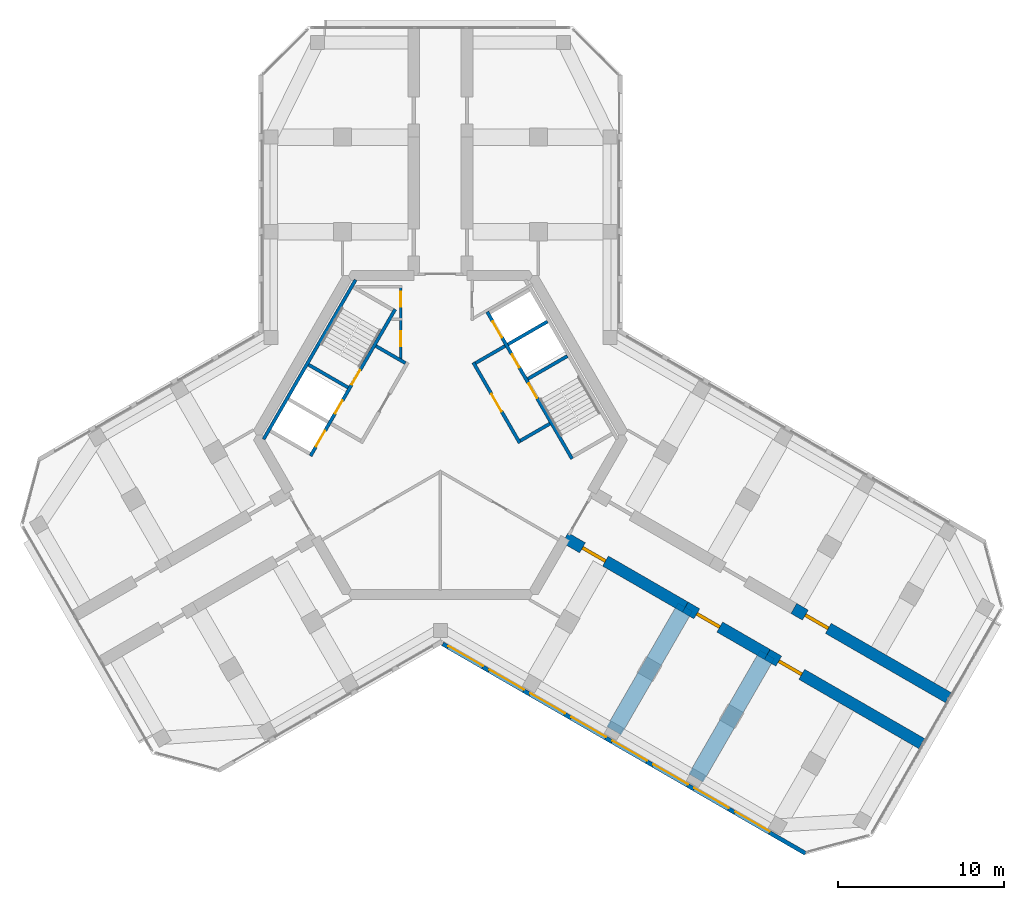
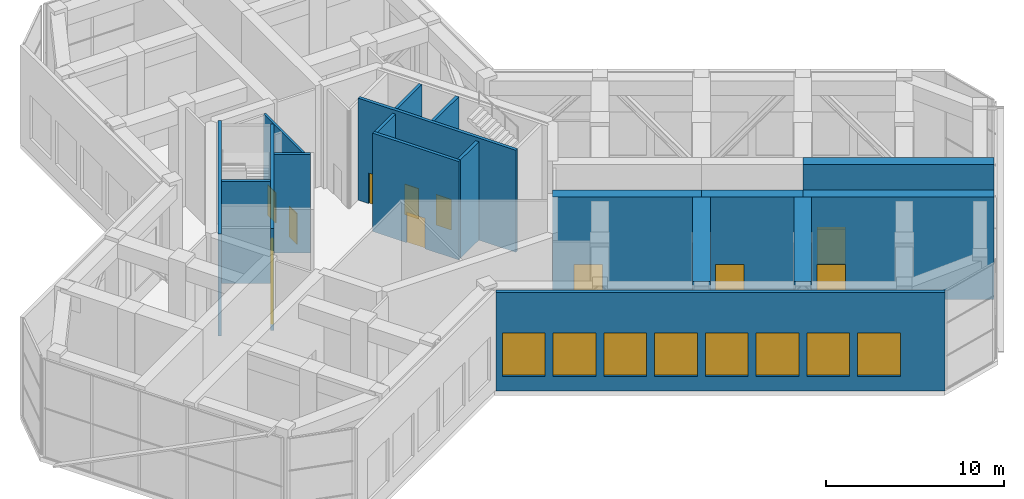
# One storey, part 9 of 12: 18 walls, 13 doors, 8 windows, 21 openings.
"""IFC4 building model written with IfcOpenShell, lengths in metres."""

from ifc_helpers import new_model, si_unit, direction, frame, frame_2d, origin, place, context, subcontext, project, spatial, rectangle, extrude, material, layer, layer_set, type_object, element, fill, save


model = new_model("IFC4")

# Units and contexts
model_context = context("Model", 3, precision=1e-05, world=origin(), true_north=direction((0.0, 1.0)))
body_context = subcontext(model_context, "Body", "Model", "MODEL_VIEW")
ifc_project = project(units=[si_unit("LENGTHUNIT", "METRE"), si_unit("AREAUNIT", "SQUARE_METRE"), si_unit("VOLUMEUNIT", "CUBIC_METRE"), si_unit("PLANEANGLEUNIT", "RADIAN"), si_unit("MASSUNIT", "GRAM", prefix="KILO")], contexts=[model_context])

# Site, building, storey
site_placement = place(None, origin())
site = spatial("IfcSite", under=ifc_project, at=site_placement, CompositionType="ELEMENT")
building_placement = place(site_placement, origin())
building = spatial("IfcBuilding", under=site, at=building_placement, Name="Kosmar Iwan School Tower", CompositionType="ELEMENT")
storey_placement = place(building_placement, frame((0.0, 0.0, 260.39990234375)))
storey = spatial("IfcBuildingStorey", under=building, at=storey_placement, Name="L66", CompositionType="ELEMENT", Elevation=260.39990234375)

# Wall, openings, doors
ifc_material_1 = material(Name="Gypsum board on steel studs, fire-rated", Category="steel")
ifc_layer_1 = layer(ifc_material_1, 0.14990234375)
ifc_layer_set_1 = layer_set([ifc_layer_1], Name="Core room partition 150")
wall_type_1 = type_object("IfcWallType", Name="Core room partition 150", PredefinedType="PARTITIONING", material=ifc_layer_set_1)
wall_1_placement = place(storey_placement, frame((-2.39990234375, 9.014892578125, 0.0), z_axis=(0.0, 0.0, 1.0), x_axis=(0.0, -1.0, 0.0)))
wall_1 = element("IfcWall", 1, at=wall_1_placement, inside=storey, type_object=wall_type_1, Name="Core room partition L66-CW1", PredefinedType="PARTITIONING", context=body_context, shape_type="SweptSolid", body=[
    extrude(rectangle(XDim=4.484130859375, YDim=0.14990234375, at=frame_2d((2.2421875, 0.0))), origin(), (0.0, 0.0, 1.0), 6.75),
])
opening_1_placement = place(wall_1_placement, frame((0.375, 0.0, 0.0)))
opening_1 = element("IfcOpeningElement", 2, at=opening_1_placement, cuts=wall_1, Name="Opening D14", PredefinedType="OPENING", context=body_context, shape_type="SweptSolid", body=[
    extrude(rectangle(XDim=0.89990234375, YDim=2.10009765625, at=frame_2d((0.449951171875, 1.050048828125))), frame((0.0, 0.0869140625, 0.0), z_axis=(0.0, -1.0, 0.0), x_axis=(1.0, 0.0, 0.0)), (0.0, 0.0, 1.0), 0.173828125),
])
opening_2_placement = place(wall_1_placement, frame((2.77490234375, 0.0, 0.0)))
opening_2 = element("IfcOpeningElement", 3, at=opening_2_placement, cuts=wall_1, Name="Opening D14", PredefinedType="OPENING", context=body_context, shape_type="SweptSolid", body=[
    extrude(rectangle(XDim=0.89990234375, YDim=2.10009765625, at=frame_2d((0.449951171875, 1.050048828125))), frame((0.0, 0.0869140625, 0.0), z_axis=(0.0, -1.0, 0.0), x_axis=(1.0, 0.0, 0.0)), (0.0, 0.0, 1.0), 0.173828125),
])
ifc_material_2 = material(Name="Timber fire door in steel frame", Category="steel")
door_type_1 = type_object("IfcDoorType", Name="Core room door 900x2100", OperationType="SINGLE_SWING_LEFT", PredefinedType="DOOR", material=ifc_material_2)
door_1_placement = place(opening_1_placement, origin())
door_1 = element("IfcDoor", 4, at=door_1_placement, inside=storey, type_object=door_type_1, Name="Electrical riser and switch room door L66 1", OperationType="SINGLE_SWING_LEFT", OverallHeight=2.10009765625, OverallWidth=0.89990234375, PredefinedType="DOOR", context=body_context, shape_type="SweptSolid", body=[
    extrude(rectangle(XDim=0.89990234375, YDim=2.10009765625, at=frame_2d((0.449951171875, 1.050048828125))), frame((0.0, 0.02490234375, 0.0), z_axis=(0.0, -1.0, 0.0), x_axis=(1.0, 0.0, 0.0)), (0.0, 0.0, 1.0), 0.050048828125),
])
fill(opening_1, door_1)
door_2_placement = place(opening_2_placement, origin())
door_2 = element("IfcDoor", 5, at=door_2_placement, inside=storey, type_object=door_type_1, Name="Plumbing and wet riser door L66 2", OperationType="SINGLE_SWING_RIGHT", OverallHeight=2.10009765625, OverallWidth=0.89990234375, PredefinedType="DOOR", context=body_context, shape_type="SweptSolid", body=[
    extrude(rectangle(XDim=0.89990234375, YDim=2.10009765625, at=frame_2d((0.449951171875, 1.050048828125))), frame((0.0, 0.02490234375, 0.0), z_axis=(0.0, -1.0, 0.0), x_axis=(1.0, 0.0, 0.0)), (0.0, 0.0, 1.0), 0.050048828125),
])
fill(opening_2, door_2)

# Wall, opening, door
ifc_material_3 = material(Name="Concrete C50/60", Category="concrete")
ifc_layer_2 = layer(ifc_material_3, 0.699951171875)
ifc_layer_set_2 = layer_set([ifc_layer_2], Name="Corridor buttress wall 700")
wall_type_2 = type_object("IfcWallType", Name="Corridor buttress wall 700", PredefinedType="SHEAR", material=ifc_layer_set_2)
wall_2_placement = place(storey_placement, frame((21.281494140625, -10.439453125, 0.0), z_axis=(0.0, 0.0, 1.0), x_axis=(0.866032345022, -0.499987977232, 0.0)))
wall_2 = element("IfcWall", 6, at=wall_2_placement, inside=storey, type_object=wall_type_2, Name="Corridor wall CL bay 3", PredefinedType="SHEAR", context=body_context, shape_type="SweptSolid", body=[
    extrude(rectangle(XDim=10.744873046875, YDim=0.699951171875, at=frame_2d((5.37255859375, 0.0))), origin(), (0.0, 0.0, 1.0), 7.0),
])
opening_3_placement = place(wall_2_placement, frame((0.800048828125, 0.0, 0.0)))
opening_3 = element("IfcOpeningElement", 7, at=opening_3_placement, cuts=wall_2, Name="Opening D5", PredefinedType="OPENING", context=body_context, shape_type="SweptSolid", body=[
    extrude(rectangle(XDim=1.60009765625, YDim=2.39990234375, at=frame_2d((0.800048828125, 1.199951171875))), frame((0.0, 0.362060546875, 0.0), z_axis=(0.0, -1.0, 0.0), x_axis=(1.0, 0.0, 0.0)), (0.0, 0.0, 1.0), 0.723876953125),
])
ifc_material_4 = material(Name="Steel fire door", Category="steel")
door_type_2 = type_object("IfcDoorType", Name="Plant room door pair 1600x2400", OperationType="DOUBLE_DOOR_SINGLE_SWING", PredefinedType="DOOR", material=ifc_material_4)
door_3_placement = place(opening_3_placement, origin())
door_3 = element("IfcDoor", 8, at=door_3_placement, inside=storey, type_object=door_type_2, Name="Electrical switch room door L66-CL3", OperationType="DOUBLE_DOOR_SINGLE_SWING", OverallHeight=2.39990234375, OverallWidth=1.60009765625, PredefinedType="DOOR", context=body_context, shape_type="SweptSolid", body=[
    extrude(rectangle(XDim=1.60009765625, YDim=2.39990234375, at=frame_2d((0.800048828125, 1.199951171875))), frame((0.0, 0.10009765625, 0.0), z_axis=(0.0, -1.0, 0.0), x_axis=(1.0, 0.0, 0.0)), (0.0, 0.0, 1.0), 0.199951171875),
])
fill(opening_3, door_3)

wall_3_placement = place(storey_placement, frame((7.513916015625, -6.185546875, 0.0), z_axis=(0.0, 0.0, 1.0), x_axis=(0.866019549707, -0.500010139422, 0.0)))
wall_3 = element("IfcWall", 9, at=wall_3_placement, inside=storey, type_object=wall_type_2, Name="Corridor wall CR", PredefinedType="SHEAR", context=body_context, shape_type="SweptSolid", body=[
    extrude(rectangle(XDim=8.349853515625, YDim=0.699951171875, at=frame_2d((4.1748046875, 0.0))), origin(), (0.0, 0.0, 1.0), 7.0),
])
opening_4_placement = place(wall_3_placement, frame((1.199951171875, 0.0, 0.0)))
opening_4 = element("IfcOpeningElement", 10, at=opening_4_placement, cuts=wall_3, Name="Opening D5", PredefinedType="OPENING", context=body_context, shape_type="SweptSolid", body=[
    extrude(rectangle(XDim=1.60009765625, YDim=2.39990234375, at=frame_2d((0.800048828125, 1.199951171875))), frame((0.0, 0.362060546875, 0.0), z_axis=(0.0, -1.0, 0.0), x_axis=(1.0, 0.0, 0.0)), (0.0, 0.0, 1.0), 0.723876953125),
])
door_4_placement = place(opening_4_placement, origin())
door_4 = element("IfcDoor", 11, at=door_4_placement, inside=storey, type_object=door_type_2, Name="Refuge area door L66-CR1", OperationType="DOUBLE_DOOR_SINGLE_SWING", OverallHeight=2.39990234375, OverallWidth=1.60009765625, PredefinedType="DOOR", context=body_context, shape_type="SweptSolid", body=[
    extrude(rectangle(XDim=1.60009765625, YDim=2.39990234375, at=frame_2d((0.800048828125, 1.199951171875))), frame((0.0, 0.10009765625, 0.0), z_axis=(0.0, -1.0, 0.0), x_axis=(1.0, 0.0, 0.0)), (0.0, 0.0, 1.0), 0.199951171875),
])
fill(opening_4, door_4)

wall_4_placement = place(storey_placement, frame((14.7451171875, -10.360595703125, 0.0), z_axis=(0.0, 0.0, 1.0), x_axis=(0.866015111908, -0.50001782563, 0.0)))
wall_4 = element("IfcWall", 12, at=wall_4_placement, inside=storey, type_object=wall_type_2, Name="Corridor wall CR bay 2", PredefinedType="SHEAR", context=body_context, shape_type="SweptSolid", body=[
    extrude(rectangle(XDim=5.699951171875, YDim=0.699951171875, at=frame_2d((2.85009765625, 0.0))), origin(), (0.0, 0.0, 1.0), 7.0),
])
opening_5_placement = place(wall_4_placement, frame((0.800048828125, 0.0, 0.0)))
opening_5 = element("IfcOpeningElement", 13, at=opening_5_placement, cuts=wall_4, Name="Opening D5", PredefinedType="OPENING", context=body_context, shape_type="SweptSolid", body=[
    extrude(rectangle(XDim=1.60009765625, YDim=2.39990234375, at=frame_2d((0.800048828125, 1.199951171875))), frame((0.0, 0.362060546875, 0.0), z_axis=(0.0, -1.0, 0.0), x_axis=(1.0, 0.0, 0.0)), (0.0, 0.0, 1.0), 0.723876953125),
])
door_5_placement = place(opening_5_placement, origin())
door_5 = element("IfcDoor", 14, at=door_5_placement, inside=storey, type_object=door_type_2, Name="Lift machine room door L66-CR2", OperationType="DOUBLE_DOOR_SINGLE_SWING", OverallHeight=2.39990234375, OverallWidth=1.60009765625, PredefinedType="DOOR", context=body_context, shape_type="SweptSolid", body=[
    extrude(rectangle(XDim=1.60009765625, YDim=2.39990234375, at=frame_2d((0.800048828125, 1.199951171875))), frame((0.0, 0.10009765625, 0.0), z_axis=(0.0, -1.0, 0.0), x_axis=(1.0, 0.0, 0.0)), (0.0, 0.0, 1.0), 0.199951171875),
])
fill(opening_5, door_5)

wall_5_placement = place(storey_placement, frame((19.681396484375, -13.210693359375, 0.0), z_axis=(0.0, 0.0, 1.0), x_axis=(0.866028186671, -0.499995179869, 0.0)))
wall_5 = element("IfcWall", 15, at=wall_5_placement, inside=storey, type_object=wall_type_2, Name="Corridor wall CR bay 3", PredefinedType="SHEAR", context=body_context, shape_type="SweptSolid", body=[
    extrude(rectangle(XDim=10.7451171875, YDim=0.699951171875, at=frame_2d((5.37255859375, 0.0))), origin(), (0.0, 0.0, 1.0), 7.0),
])
opening_6_placement = place(wall_5_placement, frame((0.800048828125, 0.0, 0.0)))
opening_6 = element("IfcOpeningElement", 16, at=opening_6_placement, cuts=wall_5, Name="Opening D5", PredefinedType="OPENING", context=body_context, shape_type="SweptSolid", body=[
    extrude(rectangle(XDim=1.60009765625, YDim=2.39990234375, at=frame_2d((0.800048828125, 1.199951171875))), frame((0.0, 0.362060546875, 0.0), z_axis=(0.0, -1.0, 0.0), x_axis=(1.0, 0.0, 0.0)), (0.0, 0.0, 1.0), 0.723876953125),
])
door_6_placement = place(opening_6_placement, origin())
door_6 = element("IfcDoor", 17, at=door_6_placement, inside=storey, type_object=door_type_2, Name="Electrical switch room door L66-CR3", OperationType="DOUBLE_DOOR_SINGLE_SWING", OverallHeight=2.39990234375, OverallWidth=1.60009765625, PredefinedType="DOOR", context=body_context, shape_type="SweptSolid", body=[
    extrude(rectangle(XDim=1.60009765625, YDim=2.39990234375, at=frame_2d((0.800048828125, 1.199951171875))), frame((0.0, 0.10009765625, 0.0), z_axis=(0.0, -1.0, 0.0), x_axis=(1.0, 0.0, 0.0)), (0.0, 0.0, 1.0), 0.199951171875),
])
fill(opening_6, door_6)

# Wall, openings, windows
ifc_material_5 = material(Name="Black aluminium rainscreen on insulated framing", Category="aluminium")
ifc_layer_3 = layer(ifc_material_5, 0.25)
ifc_layer_set_3 = layer_set([ifc_layer_3], Name="External wall rainscreen 250")
wall_type_3 = type_object("IfcWallType", Name="External wall rainscreen 250", PredefinedType="SOLIDWALL", material=ifc_layer_set_3)
wall_6_placement = place(storey_placement, frame((0.137939453125, -12.5791015625, 0.0), z_axis=(0.0, 0.0, 1.0), x_axis=(0.866023775649, -0.500002820003, 0.0)))
wall_6 = element("IfcWall", 18, at=wall_6_placement, inside=storey, type_object=wall_type_3, Name="External wall CR L66", PredefinedType="SOLIDWALL", context=body_context, shape_type="SweptSolid", body=[
    extrude(rectangle(XDim=25.226318359375, YDim=0.25, at=frame_2d((12.61328125, 0.0))), origin(), (0.0, 0.0, 1.0), 6.75),
])
opening_7_placement = place(wall_6_placement, frame((0.365966796875, 0.0, 1.0)))
opening_7 = element("IfcOpeningElement", 19, at=opening_7_placement, cuts=wall_6, Name="Opening LV1", PredefinedType="OPENING", context=body_context, shape_type="SweptSolid", body=[
    extrude(rectangle(XDim=2.39990234375, YDim=3.0, at=frame_2d((1.199951171875, 1.5))), frame((0.0, 0.136962890625, 0.0), z_axis=(0.0, -1.0, 0.0), x_axis=(1.0, 0.0, 0.0)), (0.0, 0.0, 1.0), 0.27392578125),
])
opening_8_placement = place(wall_6_placement, frame((3.216064453125, 0.0, 1.0)))
opening_8 = element("IfcOpeningElement", 20, at=opening_8_placement, cuts=wall_6, Name="Opening LV1", PredefinedType="OPENING", context=body_context, shape_type="SweptSolid", body=[
    extrude(rectangle(XDim=2.39990234375, YDim=3.0, at=frame_2d((1.199951171875, 1.5))), frame((0.0, 0.136962890625, 0.0), z_axis=(0.0, -1.0, 0.0), x_axis=(1.0, 0.0, 0.0)), (0.0, 0.0, 1.0), 0.27392578125),
])
opening_9_placement = place(wall_6_placement, frame((6.06591796875, 0.0, 1.0)))
opening_9 = element("IfcOpeningElement", 21, at=opening_9_placement, cuts=wall_6, Name="Opening LV1", PredefinedType="OPENING", context=body_context, shape_type="SweptSolid", body=[
    extrude(rectangle(XDim=2.39990234375, YDim=3.0, at=frame_2d((1.199951171875, 1.5))), frame((0.0, 0.136962890625, 0.0), z_axis=(0.0, -1.0, 0.0), x_axis=(1.0, 0.0, 0.0)), (0.0, 0.0, 1.0), 0.27392578125),
])
opening_10_placement = place(wall_6_placement, frame((8.916015625, 0.0, 1.0)))
opening_10 = element("IfcOpeningElement", 22, at=opening_10_placement, cuts=wall_6, Name="Opening LV1", PredefinedType="OPENING", context=body_context, shape_type="SweptSolid", body=[
    extrude(rectangle(XDim=2.39990234375, YDim=3.0, at=frame_2d((1.199951171875, 1.5))), frame((0.0, 0.136962890625, 0.0), z_axis=(0.0, -1.0, 0.0), x_axis=(1.0, 0.0, 0.0)), (0.0, 0.0, 1.0), 0.27392578125),
])
opening_11_placement = place(wall_6_placement, frame((11.76611328125, 0.0, 1.0)))
opening_11 = element("IfcOpeningElement", 23, at=opening_11_placement, cuts=wall_6, Name="Opening LV1", PredefinedType="OPENING", context=body_context, shape_type="SweptSolid", body=[
    extrude(rectangle(XDim=2.39990234375, YDim=3.0, at=frame_2d((1.199951171875, 1.5))), frame((0.0, 0.136962890625, 0.0), z_axis=(0.0, -1.0, 0.0), x_axis=(1.0, 0.0, 0.0)), (0.0, 0.0, 1.0), 0.27392578125),
])
opening_12_placement = place(wall_6_placement, frame((14.615966796875, 0.0, 1.0)))
opening_12 = element("IfcOpeningElement", 24, at=opening_12_placement, cuts=wall_6, Name="Opening LV1", PredefinedType="OPENING", context=body_context, shape_type="SweptSolid", body=[
    extrude(rectangle(XDim=2.39990234375, YDim=3.0, at=frame_2d((1.199951171875, 1.5))), frame((0.0, 0.136962890625, 0.0), z_axis=(0.0, -1.0, 0.0), x_axis=(1.0, 0.0, 0.0)), (0.0, 0.0, 1.0), 0.27392578125),
])
opening_13_placement = place(wall_6_placement, frame((17.466064453125, 0.0, 1.0)))
opening_13 = element("IfcOpeningElement", 25, at=opening_13_placement, cuts=wall_6, Name="Opening LV1", PredefinedType="OPENING", context=body_context, shape_type="SweptSolid", body=[
    extrude(rectangle(XDim=2.39990234375, YDim=3.0, at=frame_2d((1.199951171875, 1.5))), frame((0.0, 0.136962890625, 0.0), z_axis=(0.0, -1.0, 0.0), x_axis=(1.0, 0.0, 0.0)), (0.0, 0.0, 1.0), 0.27392578125),
])
opening_14_placement = place(wall_6_placement, frame((20.31591796875, 0.0, 1.0)))
opening_14 = element("IfcOpeningElement", 26, at=opening_14_placement, cuts=wall_6, Name="Opening LV1", PredefinedType="OPENING", context=body_context, shape_type="SweptSolid", body=[
    extrude(rectangle(XDim=2.39990234375, YDim=3.0, at=frame_2d((1.199951171875, 1.5))), frame((0.0, 0.136962890625, 0.0), z_axis=(0.0, -1.0, 0.0), x_axis=(1.0, 0.0, 0.0)), (0.0, 0.0, 1.0), 0.27392578125),
])
ifc_material_6 = material(Name="Black aluminium louvre", Category="aluminium")
window_type = type_object("IfcWindowType", Name="Plant louvre 2400x3000", PartitioningType="SINGLE_PANEL", PredefinedType="USERDEFINED", material=ifc_material_6)
window_1_placement = place(opening_7_placement, origin())
window_1 = element("IfcWindow", 27, at=window_1_placement, inside=storey, type_object=window_type, Name="Window CR L66 -1", ObjectType="LOUVRE", OverallHeight=3.0, OverallWidth=2.39990234375, PartitioningType="SINGLE_PANEL", PredefinedType="USERDEFINED", context=body_context, shape_type="SweptSolid", body=[
    extrude(rectangle(XDim=2.39990234375, YDim=3.0, at=frame_2d((1.199951171875, 1.5))), frame((0.0, 0.070068359375, 0.0), z_axis=(0.0, -1.0, 0.0), x_axis=(1.0, 0.0, 0.0)), (0.0, 0.0, 1.0), 0.02001953125),
])
fill(opening_7, window_1)
window_2_placement = place(opening_8_placement, origin())
window_2 = element("IfcWindow", 28, at=window_2_placement, inside=storey, type_object=window_type, Name="Window CR L66 0", ObjectType="LOUVRE", OverallHeight=3.0, OverallWidth=2.39990234375, PartitioningType="SINGLE_PANEL", PredefinedType="USERDEFINED", context=body_context, shape_type="SweptSolid", body=[
    extrude(rectangle(XDim=2.39990234375, YDim=3.0, at=frame_2d((1.199951171875, 1.5))), frame((0.0, 0.070068359375, 0.0), z_axis=(0.0, -1.0, 0.0), x_axis=(1.0, 0.0, 0.0)), (0.0, 0.0, 1.0), 0.02001953125),
])
fill(opening_8, window_2)
window_3_placement = place(opening_9_placement, origin())
window_3 = element("IfcWindow", 29, at=window_3_placement, inside=storey, type_object=window_type, Name="Window CR L66 1", ObjectType="LOUVRE", OverallHeight=3.0, OverallWidth=2.39990234375, PartitioningType="SINGLE_PANEL", PredefinedType="USERDEFINED", context=body_context, shape_type="SweptSolid", body=[
    extrude(rectangle(XDim=2.39990234375, YDim=3.0, at=frame_2d((1.199951171875, 1.5))), frame((0.0, 0.070068359375, 0.0), z_axis=(0.0, -1.0, 0.0), x_axis=(1.0, 0.0, 0.0)), (0.0, 0.0, 1.0), 0.02001953125),
])
fill(opening_9, window_3)
window_4_placement = place(opening_10_placement, origin())
window_4 = element("IfcWindow", 30, at=window_4_placement, inside=storey, type_object=window_type, Name="Window CR L66 2", ObjectType="LOUVRE", OverallHeight=3.0, OverallWidth=2.39990234375, PartitioningType="SINGLE_PANEL", PredefinedType="USERDEFINED", context=body_context, shape_type="SweptSolid", body=[
    extrude(rectangle(XDim=2.39990234375, YDim=3.0, at=frame_2d((1.199951171875, 1.5))), frame((0.0, 0.070068359375, 0.0), z_axis=(0.0, -1.0, 0.0), x_axis=(1.0, 0.0, 0.0)), (0.0, 0.0, 1.0), 0.02001953125),
])
fill(opening_10, window_4)
window_5_placement = place(opening_11_placement, origin())
window_5 = element("IfcWindow", 31, at=window_5_placement, inside=storey, type_object=window_type, Name="Window CR L66 3", ObjectType="LOUVRE", OverallHeight=3.0, OverallWidth=2.39990234375, PartitioningType="SINGLE_PANEL", PredefinedType="USERDEFINED", context=body_context, shape_type="SweptSolid", body=[
    extrude(rectangle(XDim=2.39990234375, YDim=3.0, at=frame_2d((1.199951171875, 1.5))), frame((0.0, 0.070068359375, 0.0), z_axis=(0.0, -1.0, 0.0), x_axis=(1.0, 0.0, 0.0)), (0.0, 0.0, 1.0), 0.02001953125),
])
fill(opening_11, window_5)
window_6_placement = place(opening_12_placement, origin())
window_6 = element("IfcWindow", 32, at=window_6_placement, inside=storey, type_object=window_type, Name="Window CR L66 4", ObjectType="LOUVRE", OverallHeight=3.0, OverallWidth=2.39990234375, PartitioningType="SINGLE_PANEL", PredefinedType="USERDEFINED", context=body_context, shape_type="SweptSolid", body=[
    extrude(rectangle(XDim=2.39990234375, YDim=3.0, at=frame_2d((1.199951171875, 1.5))), frame((0.0, 0.070068359375, 0.0), z_axis=(0.0, -1.0, 0.0), x_axis=(1.0, 0.0, 0.0)), (0.0, 0.0, 1.0), 0.02001953125),
])
fill(opening_12, window_6)
window_7_placement = place(opening_13_placement, origin())
window_7 = element("IfcWindow", 33, at=window_7_placement, inside=storey, type_object=window_type, Name="Window CR L66 5", ObjectType="LOUVRE", OverallHeight=3.0, OverallWidth=2.39990234375, PartitioningType="SINGLE_PANEL", PredefinedType="USERDEFINED", context=body_context, shape_type="SweptSolid", body=[
    extrude(rectangle(XDim=2.39990234375, YDim=3.0, at=frame_2d((1.199951171875, 1.5))), frame((0.0, 0.070068359375, 0.0), z_axis=(0.0, -1.0, 0.0), x_axis=(1.0, 0.0, 0.0)), (0.0, 0.0, 1.0), 0.02001953125),
])
fill(opening_13, window_7)
window_8_placement = place(opening_14_placement, origin())
window_8 = element("IfcWindow", 34, at=window_8_placement, inside=storey, type_object=window_type, Name="Window CR L66 6", ObjectType="LOUVRE", OverallHeight=3.0, OverallWidth=2.39990234375, PartitioningType="SINGLE_PANEL", PredefinedType="USERDEFINED", context=body_context, shape_type="SweptSolid", body=[
    extrude(rectangle(XDim=2.39990234375, YDim=3.0, at=frame_2d((1.199951171875, 1.5))), frame((0.0, 0.070068359375, 0.0), z_axis=(0.0, -1.0, 0.0), x_axis=(1.0, 0.0, 0.0)), (0.0, 0.0, 1.0), 0.02001953125),
])
fill(opening_14, window_8)

# Wall
ifc_material_7 = material(Name="Concrete block masonry", Category="masonry")
ifc_layer_4 = layer(ifc_material_7, 0.199951171875)
ifc_layer_set_4 = layer_set([ifc_layer_4], Name="Fire lobby wall 200")
wall_type_4 = type_object("IfcWallType", Name="Fire lobby wall 200", PredefinedType="PARTITIONING", material=ifc_layer_set_4)
wall_7_placement = place(storey_placement, frame((-2.114013671875, 4.33837890625, 0.0), z_axis=(0.0, 0.0, 1.0), x_axis=(-0.866050731258, 0.499956128963, 0.0)))
element("IfcWall", 35, at=wall_7_placement, inside=storey, type_object=wall_type_4, Name="Firefighting lobby wall ST2", PredefinedType="PARTITIONING", context=body_context, shape_type="SweptSolid", body=[
    extrude(rectangle(XDim=2.050048828125, YDim=0.199951171875, at=frame_2d((1.02490234375, 0.0))), origin(), (0.0, 0.0, 1.0), 6.75),
])

# Wall, opening, door
wall_8_placement = place(storey_placement, frame((4.777587890625, -0.474853515625, 0.0), z_axis=(0.0, 0.0, 1.0), x_axis=(-0.500016814911, 0.866015695474, 0.0)))
wall_8 = element("IfcWall", 36, at=wall_8_placement, inside=storey, type_object=wall_type_4, Name="Firefighting lobby wall ST1", PredefinedType="PARTITIONING", context=body_context, shape_type="SweptSolid", body=[
    extrude(rectangle(XDim=5.599853515625, YDim=0.199951171875, at=frame_2d((2.7998046875, 0.0))), origin(), (0.0, 0.0, 1.0), 6.75),
])
opening_15_placement = place(wall_8_placement, frame((2.199951171875, 0.0, 0.0)))
opening_15 = element("IfcOpeningElement", 37, at=opening_15_placement, cuts=wall_8, Name="Opening D7", PredefinedType="OPENING", context=body_context, shape_type="SweptSolid", body=[
    extrude(rectangle(XDim=1.199951171875, YDim=2.10009765625, at=frame_2d((0.60009765625, 1.050048828125))), frame((0.0, 0.112060546875, 0.0), z_axis=(0.0, -1.0, 0.0), x_axis=(1.0, 0.0, 0.0)), (0.0, 0.0, 1.0), 0.223876953125),
])
ifc_material_8 = material(Name="Steel fire door", Category="steel")
door_type_3 = type_object("IfcDoorType", Name="Fire lobby door 1200x2100", OperationType="SINGLE_SWING_LEFT", PredefinedType="DOOR", material=ifc_material_8)
door_7_placement = place(opening_15_placement, origin())
door_7 = element("IfcDoor", 38, at=door_7_placement, inside=storey, type_object=door_type_3, Name="Firefighting lobby door ST1 L66", OperationType="SINGLE_SWING_RIGHT", OverallHeight=2.10009765625, OverallWidth=1.199951171875, PredefinedType="DOOR", context=body_context, shape_type="SweptSolid", body=[
    extrude(rectangle(XDim=1.199951171875, YDim=2.10009765625, at=frame_2d((0.60009765625, 1.050048828125))), frame((0.0, 0.02490234375, 0.0), z_axis=(0.0, -1.0, 0.0), x_axis=(1.0, 0.0, 0.0)), (0.0, 0.0, 1.0), 0.050048828125),
])
fill(opening_15, door_7)

# Walls
wall_9_placement = place(storey_placement, frame((4.814208984375, -0.33837890625, 0.0), z_axis=(0.0, 0.0, 1.0), x_axis=(0.865969381856, 0.500097020274, 0.0)))
element("IfcWall", 39, at=wall_9_placement, inside=storey, type_object=wall_type_4, Name="Firefighting lobby wall ST1", PredefinedType="PARTITIONING", context=body_context, shape_type="SweptSolid", body=[
    extrude(rectangle(XDim=2.0498046875, YDim=0.199951171875, at=frame_2d((1.02490234375, 0.0))), origin(), (0.0, 0.0, 1.0), 6.75),
])
wall_10_placement = place(storey_placement, frame((2.114013671875, 4.33837890625, 0.0), z_axis=(0.0, 0.0, 1.0), x_axis=(0.866050731258, 0.499956128963, 0.0)))
element("IfcWall", 40, at=wall_10_placement, inside=storey, type_object=wall_type_4, Name="Firefighting lobby wall ST1", PredefinedType="PARTITIONING", context=body_context, shape_type="SweptSolid", body=[
    extrude(rectangle(XDim=2.050048828125, YDim=0.199951171875, at=frame_2d((1.02490234375, 0.0))), origin(), (0.0, 0.0, 1.0), 6.75),
])

# Wall, openings, doors
ifc_material_9 = material(Name="Concrete C50/60", Category="concrete")
ifc_layer_5 = layer(ifc_material_9, 0.199951171875)
ifc_layer_set_5 = layer_set([ifc_layer_5], Name="Lift shaft wall 200")
wall_type_5 = type_object("IfcWallType", Name="Lift shaft wall 200", PredefinedType="SHEAR", material=ifc_layer_set_5)
wall_11_placement = place(storey_placement, frame((-2.72607421875, 7.578369140625, 0.0), z_axis=(0.0, 0.0, 1.0), x_axis=(-0.500005610874, -0.86602216432, 0.0)))
wall_11 = element("IfcWall", 41, at=wall_11_placement, inside=storey, type_object=wall_type_5, Name="Lift and stair front wall AB", PredefinedType="SHEAR", context=body_context, shape_type="SweptSolid", body=[
    extrude(rectangle(XDim=10.2001953125, YDim=0.199951171875, at=frame_2d((5.10009765625, 0.0))), origin(), (0.0, 0.0, 1.0), 7.0),
])
opening_16_placement = place(wall_11_placement, frame((6.35009765625, 0.0, 0.0)))
opening_16 = element("IfcOpeningElement", 42, at=opening_16_placement, cuts=wall_11, Name="Opening LD2", PredefinedType="OPENING", context=body_context, shape_type="SweptSolid", body=[
    extrude(rectangle(XDim=0.89990234375, YDim=2.10009765625, at=frame_2d((0.449951171875, 1.050048828125))), frame((0.0, 0.112060546875, 0.0), z_axis=(0.0, -1.0, 0.0), x_axis=(1.0, 0.0, 0.0)), (0.0, 0.0, 1.0), 0.223876953125),
])
opening_17_placement = place(wall_11_placement, frame((8.449951171875, 0.0, 0.0)))
opening_17 = element("IfcOpeningElement", 43, at=opening_17_placement, cuts=wall_11, Name="Opening LD1", PredefinedType="OPENING", context=body_context, shape_type="SweptSolid", body=[
    extrude(rectangle(XDim=1.10009765625, YDim=2.10009765625, at=frame_2d((0.550048828125, 1.050048828125))), frame((0.0, 0.112060546875, 0.0), z_axis=(0.0, -1.0, 0.0), x_axis=(1.0, 0.0, 0.0)), (0.0, 0.0, 1.0), 0.223876953125),
])
opening_18_placement = place(wall_11_placement, frame((4.22998046875, 0.0, 0.0)))
opening_18 = element("IfcOpeningElement", 44, at=opening_18_placement, cuts=wall_11, Name="Opening D6", PredefinedType="OPENING", context=body_context, shape_type="SweptSolid", body=[
    extrude(rectangle(XDim=1.0, YDim=2.10009765625, at=frame_2d((0.5, 1.050048828125))), frame((0.0, 0.112060546875, 0.0), z_axis=(0.0, -1.0, 0.0), x_axis=(1.0, 0.0, 0.0)), (0.0, 0.0, 1.0), 0.223876953125),
])
ifc_material_10 = material(Name="Stainless steel sliding lift door", Category="steel")
door_type_4 = type_object("IfcDoorType", Name="Firefighting lift landing door 900x2100", OperationType="SLIDING_TO_LEFT", PredefinedType="DOOR", material=ifc_material_10)
door_8_placement = place(opening_16_placement, origin())
door_8 = element("IfcDoor", 45, at=door_8_placement, inside=storey, type_object=door_type_4, Name="Lift FF2 landing door L66", OperationType="SLIDING_TO_LEFT", OverallHeight=2.10009765625, OverallWidth=0.89990234375, PredefinedType="DOOR", context=body_context, shape_type="SweptSolid", body=[
    extrude(rectangle(XDim=0.89990234375, YDim=2.10009765625, at=frame_2d((0.449951171875, 1.050048828125))), frame((0.0, 0.02490234375, 0.0), z_axis=(0.0, -1.0, 0.0), x_axis=(1.0, 0.0, 0.0)), (0.0, 0.0, 1.0), 0.050048828125),
])
fill(opening_16, door_8)
ifc_material_11 = material(Name="Stainless steel sliding lift door", Category="steel")
door_type_5 = type_object("IfcDoorType", Name="Lift landing door 1100x2100", OperationType="SLIDING_TO_LEFT", PredefinedType="DOOR", material=ifc_material_11)
door_9_placement = place(opening_17_placement, origin())
door_9 = element("IfcDoor", 46, at=door_9_placement, inside=storey, type_object=door_type_5, Name="Lift PL6 landing door L66", OperationType="SLIDING_TO_LEFT", OverallHeight=2.10009765625, OverallWidth=1.10009765625, PredefinedType="DOOR", context=body_context, shape_type="SweptSolid", body=[
    extrude(rectangle(XDim=1.10009765625, YDim=2.10009765625, at=frame_2d((0.550048828125, 1.050048828125))), frame((0.0, 0.02490234375, 0.0), z_axis=(0.0, -1.0, 0.0), x_axis=(1.0, 0.0, 0.0)), (0.0, 0.0, 1.0), 0.050048828125),
])
fill(opening_17, door_9)
ifc_material_12 = material(Name="Steel fire door", Category="steel")
door_type_6 = type_object("IfcDoorType", Name="Stair door 1000x2100", OperationType="SINGLE_SWING_LEFT", PredefinedType="DOOR", material=ifc_material_12)
door_10_placement = place(opening_18_placement, origin())
door_10 = element("IfcDoor", 47, at=door_10_placement, inside=storey, type_object=door_type_6, Name="Stair ST2 door L66", OperationType="SINGLE_SWING_LEFT", OverallHeight=2.10009765625, OverallWidth=1.0, PredefinedType="DOOR", context=body_context, shape_type="SweptSolid", body=[
    extrude(rectangle(XDim=1.0, YDim=2.10009765625, at=frame_2d((0.5, 1.050048828125))), frame((0.0, 0.02490234375, 0.0), z_axis=(0.0, -1.0, 0.0), x_axis=(1.0, 0.0, 0.0)), (0.0, 0.0, 1.0), 0.050048828125),
])
fill(opening_18, door_10)

# Wall
wall_12_placement = place(storey_placement, frame((-5.109619140625, 9.35009765625, 0.0), z_axis=(0.0, 0.0, 1.0), x_axis=(-0.499990629522, -0.866030813765, 0.0)))
element("IfcWall", 48, at=wall_12_placement, inside=storey, type_object=wall_type_5, Name="Lift and stair back wall AB", PredefinedType="SHEAR", context=body_context, shape_type="SweptSolid", body=[
    extrude(rectangle(XDim=11.085205078125, YDim=0.199951171875, at=frame_2d((5.54248046875, 0.0))), origin(), (0.0, 0.0, 1.0), 7.0),
])

# Wall, openings, doors
wall_13_placement = place(storey_placement, frame((7.926025390625, -1.42822265625, 0.0), z_axis=(0.0, 0.0, 1.0), x_axis=(-0.50000905659, 0.866020174897, 0.0)))
wall_13 = element("IfcWall", 49, at=wall_13_placement, inside=storey, type_object=wall_type_5, Name="Lift and stair front wall AC", PredefinedType="SHEAR", context=body_context, shape_type="SweptSolid", body=[
    extrude(rectangle(XDim=10.224853515625, YDim=0.199951171875, at=frame_2d((5.1123046875, 0.0))), origin(), (0.0, 0.0, 1.0), 7.0),
])
opening_19_placement = place(wall_13_placement, frame((6.35009765625, 0.0, 0.0)))
opening_19 = element("IfcOpeningElement", 50, at=opening_19_placement, cuts=wall_13, Name="Opening LD2", PredefinedType="OPENING", context=body_context, shape_type="SweptSolid", body=[
    extrude(rectangle(XDim=0.89990234375, YDim=2.10009765625, at=frame_2d((0.449951171875, 1.050048828125))), frame((0.0, 0.112060546875, 0.0), z_axis=(0.0, -1.0, 0.0), x_axis=(1.0, 0.0, 0.0)), (0.0, 0.0, 1.0), 0.223876953125),
])
opening_20_placement = place(wall_13_placement, frame((8.449951171875, 0.0, 0.0)))
opening_20 = element("IfcOpeningElement", 51, at=opening_20_placement, cuts=wall_13, Name="Opening LD1", PredefinedType="OPENING", context=body_context, shape_type="SweptSolid", body=[
    extrude(rectangle(XDim=1.10009765625, YDim=2.10009765625, at=frame_2d((0.550048828125, 1.050048828125))), frame((0.0, 0.112060546875, 0.0), z_axis=(0.0, -1.0, 0.0), x_axis=(1.0, 0.0, 0.0)), (0.0, 0.0, 1.0), 0.223876953125),
])
opening_21_placement = place(wall_13_placement, frame((4.22998046875, 0.0, 0.0)))
opening_21 = element("IfcOpeningElement", 52, at=opening_21_placement, cuts=wall_13, Name="Opening D6", PredefinedType="OPENING", context=body_context, shape_type="SweptSolid", body=[
    extrude(rectangle(XDim=1.0, YDim=2.10009765625, at=frame_2d((0.5, 1.050048828125))), frame((0.0, 0.112060546875, 0.0), z_axis=(0.0, -1.0, 0.0), x_axis=(1.0, 0.0, 0.0)), (0.0, 0.0, 1.0), 0.223876953125),
])
door_11_placement = place(opening_19_placement, origin())
door_11 = element("IfcDoor", 53, at=door_11_placement, inside=storey, type_object=door_type_4, Name="Lift FF1 landing door L66", OperationType="SLIDING_TO_LEFT", OverallHeight=2.10009765625, OverallWidth=0.89990234375, PredefinedType="DOOR", context=body_context, shape_type="SweptSolid", body=[
    extrude(rectangle(XDim=0.89990234375, YDim=2.10009765625, at=frame_2d((0.449951171875, 1.050048828125))), frame((0.0, 0.02490234375, 0.0), z_axis=(0.0, -1.0, 0.0), x_axis=(1.0, 0.0, 0.0)), (0.0, 0.0, 1.0), 0.050048828125),
])
fill(opening_19, door_11)
door_12_placement = place(opening_20_placement, origin())
door_12 = element("IfcDoor", 54, at=door_12_placement, inside=storey, type_object=door_type_5, Name="Lift PL5 landing door L66", OperationType="SLIDING_TO_LEFT", OverallHeight=2.10009765625, OverallWidth=1.10009765625, PredefinedType="DOOR", context=body_context, shape_type="SweptSolid", body=[
    extrude(rectangle(XDim=1.10009765625, YDim=2.10009765625, at=frame_2d((0.550048828125, 1.050048828125))), frame((0.0, 0.02490234375, 0.0), z_axis=(0.0, -1.0, 0.0), x_axis=(1.0, 0.0, 0.0)), (0.0, 0.0, 1.0), 0.050048828125),
])
fill(opening_20, door_12)
door_13_placement = place(opening_21_placement, origin())
door_13 = element("IfcDoor", 55, at=door_13_placement, inside=storey, type_object=door_type_6, Name="Stair ST1 door L66", OperationType="SINGLE_SWING_LEFT", OverallHeight=2.10009765625, OverallWidth=1.0, PredefinedType="DOOR", context=body_context, shape_type="SweptSolid", body=[
    extrude(rectangle(XDim=1.0, YDim=2.10009765625, at=frame_2d((0.5, 1.050048828125))), frame((0.0, 0.02490234375, 0.0), z_axis=(0.0, -1.0, 0.0), x_axis=(1.0, 0.0, 0.0)), (0.0, 0.0, 1.0), 0.050048828125),
])
fill(opening_21, door_13)

# Walls
wall_14_placement = place(storey_placement, frame((4.062744140625, 5.46337890625, 0.0), z_axis=(0.0, 0.0, 1.0), x_axis=(0.866027397988, 0.499996545922, 0.0)))
element("IfcWall", 56, at=wall_14_placement, inside=storey, type_object=wall_type_5, Name="Lift shaft wall AC 1", PredefinedType="SHEAR", context=body_context, shape_type="SweptSolid", body=[
    extrude(rectangle(XDim=2.75, YDim=0.199951171875, at=frame_2d((1.375, 0.0))), origin(), (0.0, 0.0, 1.0), 7.0),
])
ifc_material_13 = material(Name="Concrete C50/60", Category="concrete")
ifc_layer_6 = layer(ifc_material_13, 1.0)
ifc_layer_set_6 = layer_set([ifc_layer_6], Name="Outrigger wall 1000")
wall_type_6 = type_object("IfcWallType", Name="Outrigger wall 1000", PredefinedType="SHEAR", material=ifc_layer_set_6)
for number, where, z_axis, x_axis, name in (
    (57, (14.7451171875, -10.360595703125, 0.0), (0.0, 0.0, 1.0), (-0.500007509209, -0.866021068297, 0.0), "Outrigger wall CR"),
    (58, (19.681396484375, -13.210693359375, 0.0), (0.0, 0.0, 1.0), (-0.499986217557, -0.866033360935, 0.0), "Outrigger wall CR"),
):
    element("IfcWall", number, at=place(storey_placement, frame(where, z_axis=z_axis, x_axis=x_axis)), inside=storey, type_object=wall_type_6, Name=name, PredefinedType="SHEAR", context=body_context, shape_type="SweptSolid", body=[
        extrude(rectangle(XDim=8.599853515625, YDim=1.0, at=frame_2d((4.2998046875, 0.0))), origin(), (0.0, 0.0, 1.0), 7.0),
    ])
ifc_material_14 = material(Name="Concrete C50/60", Category="concrete")
ifc_layer_7 = layer(ifc_material_14, 0.199951171875)
ifc_layer_set_7 = layer_set([ifc_layer_7], Name="Stair enclosure wall 200")
wall_type_7 = type_object("IfcWallType", Name="Stair enclosure wall 200", PredefinedType="SHEAR", material=ifc_layer_set_7)
for number, where, z_axis, x_axis, name in (
    (59, (-5.562744140625, 2.865234375, 0.0), (0.0, 0.0, 1.0), (-0.866027397988, 0.499996545922, 0.0), "Stair ST2 wall"),
    (60, (5.2626953125, 3.384765625, 0.0), (0.0, 0.0, 1.0), (0.866027397988, 0.499996545922, 0.0), "Stair ST1 wall"),
):
    element("IfcWall", number, at=place(storey_placement, frame(where, z_axis=z_axis, x_axis=x_axis)), inside=storey, type_object=wall_type_7, Name=name, PredefinedType="SHEAR", context=body_context, shape_type="SweptSolid", body=[
        extrude(rectangle(XDim=2.75, YDim=0.199951171875, at=frame_2d((1.375, 0.0))), origin(), (0.0, 0.0, 1.0), 7.0),
    ])

save(model, "model.ifc")
